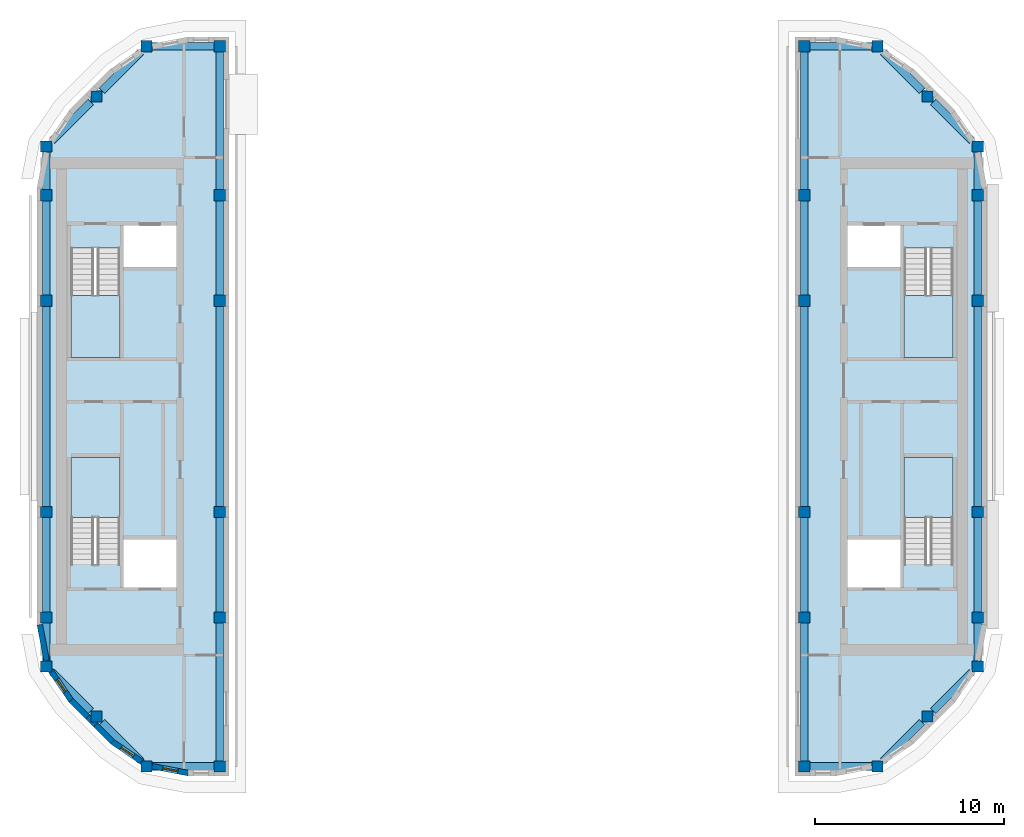
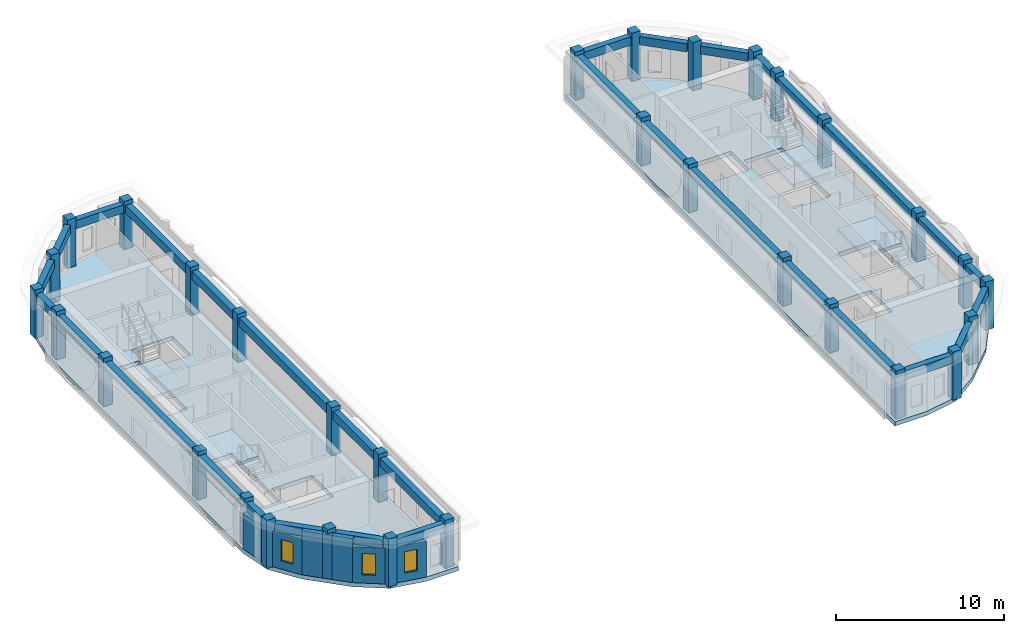
# One storey, part 1 of 12: 32 beams, 32 columns, 7 walls, 6 slabs, 3 windows, 3 openings, 4 elements without a shape of their own.
"""IFC4 building model written with IfcOpenShell, lengths in metres."""

from ifc_helpers import new_model, si_unit, direction, frame, frame_2d, origin, origin_2d, place, context, subcontext, project, spatial, polyline, rectangle, outline, extrude, material, layer, layer_set, material_profile, profile_set, type_object, element, fill, aggregate, save


model = new_model("IFC4")

# Units and contexts
model_context = context("Model", 3, precision=1e-05, world=origin(), true_north=direction((0.0, 1.0)))
body_context = subcontext(model_context, "Body", "Model", "MODEL_VIEW")
ifc_project = project(units=[si_unit("LENGTHUNIT", "METRE"), si_unit("AREAUNIT", "SQUARE_METRE"), si_unit("VOLUMEUNIT", "CUBIC_METRE"), si_unit("PLANEANGLEUNIT", "RADIAN"), si_unit("MASSUNIT", "GRAM", prefix="KILO")], contexts=[model_context])

# Site, building, storey
site_placement = place(None, origin())
site = spatial("IfcSite", under=ifc_project, at=site_placement, CompositionType="ELEMENT")
building_placement = place(site_placement, origin())
building = spatial("IfcBuilding", under=site, at=building_placement, Name="Kiln Ring Residences", CompositionType="ELEMENT")
storey_placement = place(building_placement, frame((0.0, 0.0, 306.89990234375)))
storey = spatial("IfcBuildingStorey", under=building, at=storey_placement, Name="L79 Crown", CompositionType="ELEMENT", Elevation=306.89990234375)

# Columns
ifc_material_1 = material(Name="Concrete C60/75", Category="concrete")
ifc_material_profile_1 = material_profile(ifc_material_1, rectangle(XDim=0.60009765625, YDim=0.60009765625, at=origin_2d()), Name="RC600x600")
ifc_profile_set_1 = profile_set([ifc_material_profile_1], Name="Concrete C60/75")
column_type = type_object("IfcColumnType", Name="Crown column RC600x600 C60/75", PredefinedType="COLUMN", material=ifc_profile_set_1)
for number, where, z_axis, x_axis, name in (
    (1, (-24.699951171875, -13.79296875, 0.0), (0.0, 0.0, 1.0), (1.0, 0.0, 0.0), "Crown column L79 Crown 1"),
    (2, (-24.699951171875, -11.199951171875, 0.0), (0.0, 0.0, 1.0), (1.0, 0.0, 0.0), "Crown column L79 Crown 2"),
    (3, (-24.699951171875, -5.60009765625, 0.0), (0.0, 0.0, 1.0), (1.0, 0.0, 0.0), "Crown column L79 Crown 3"),
    (4, (-24.699951171875, 5.60009765625, 0.0), (0.0, 0.0, 1.0), (1.0, 0.0, 0.0), "Crown column L79 Crown 4"),
    (5, (-24.699951171875, 11.199951171875, 0.0), (0.0, 0.0, 1.0), (1.0, 0.0, 0.0), "Crown column L79 Crown 5"),
    (6, (-24.699951171875, 13.79296875, 0.0), (0.0, 0.0, 1.0), (1.0, 0.0, 0.0), "Crown column L79 Crown 6"),
    (7, (-22.04638671875, -16.4462890625, 0.0), (0.0, 0.0, 1.0), (1.0, 0.0, 0.0), "Crown column L79 Crown 7"),
    (8, (-22.04638671875, 16.4462890625, 0.0), (0.0, 0.0, 1.0), (1.0, 0.0, 0.0), "Crown column L79 Crown 8"),
    (9, (-19.392822265625, -19.10009765625, 0.0), (0.0, 0.0, 1.0), (1.0, 0.0, 0.0), "Crown column L79 Crown 9"),
    (10, (-19.392822265625, 19.10009765625, 0.0), (0.0, 0.0, 1.0), (1.0, 0.0, 0.0), "Crown column L79 Crown 10"),
    (11, (-15.5, -19.10009765625, 0.0), (0.0, 0.0, 1.0), (1.0, 0.0, 0.0), "Crown column L79 Crown 11"),
    (12, (-15.5, -11.199951171875, 0.0), (0.0, 0.0, 1.0), (1.0, 0.0, 0.0), "Crown column L79 Crown 12"),
    (13, (-15.5, -5.60009765625, 0.0), (0.0, 0.0, 1.0), (1.0, 0.0, 0.0), "Crown column L79 Crown 13"),
    (14, (-15.5, 5.60009765625, 0.0), (0.0, 0.0, 1.0), (1.0, 0.0, 0.0), "Crown column L79 Crown 14"),
    (15, (-15.5, 11.199951171875, 0.0), (0.0, 0.0, 1.0), (1.0, 0.0, 0.0), "Crown column L79 Crown 15"),
    (16, (-15.5, 19.10009765625, 0.0), (0.0, 0.0, 1.0), (1.0, 0.0, 0.0), "Crown column L79 Crown 16"),
    (17, (15.5, -19.10009765625, 0.0), (0.0, 0.0, 1.0), (1.0, 0.0, 0.0), "Crown column L79 Crown 17"),
    (18, (15.5, -11.199951171875, 0.0), (0.0, 0.0, 1.0), (1.0, 0.0, 0.0), "Crown column L79 Crown 18"),
    (19, (15.5, -5.60009765625, 0.0), (0.0, 0.0, 1.0), (1.0, 0.0, 0.0), "Crown column L79 Crown 19"),
    (20, (15.5, 5.60009765625, 0.0), (0.0, 0.0, 1.0), (1.0, 0.0, 0.0), "Crown column L79 Crown 20"),
    (21, (15.5, 11.199951171875, 0.0), (0.0, 0.0, 1.0), (1.0, 0.0, 0.0), "Crown column L79 Crown 21"),
    (22, (15.5, 19.10009765625, 0.0), (0.0, 0.0, 1.0), (1.0, 0.0, 0.0), "Crown column L79 Crown 22"),
    (23, (19.392822265625, -19.10009765625, 0.0), (0.0, 0.0, 1.0), (1.0, 0.0, 0.0), "Crown column L79 Crown 23"),
    (24, (19.392822265625, 19.10009765625, 0.0), (0.0, 0.0, 1.0), (1.0, 0.0, 0.0), "Crown column L79 Crown 24"),
    (25, (22.04638671875, -16.4462890625, 0.0), (0.0, 0.0, 1.0), (1.0, 0.0, 0.0), "Crown column L79 Crown 25"),
    (26, (22.04638671875, 16.4462890625, 0.0), (0.0, 0.0, 1.0), (1.0, 0.0, 0.0), "Crown column L79 Crown 26"),
    (27, (24.699951171875, -13.79296875, 0.0), (0.0, 0.0, 1.0), (1.0, 0.0, 0.0), "Crown column L79 Crown 27"),
    (28, (24.699951171875, -11.199951171875, 0.0), (0.0, 0.0, 1.0), (1.0, 0.0, 0.0), "Crown column L79 Crown 28"),
    (29, (24.699951171875, -5.60009765625, 0.0), (0.0, 0.0, 1.0), (1.0, 0.0, 0.0), "Crown column L79 Crown 29"),
    (30, (24.699951171875, 5.60009765625, 0.0), (0.0, 0.0, 1.0), (1.0, 0.0, 0.0), "Crown column L79 Crown 30"),
    (31, (24.699951171875, 11.199951171875, 0.0), (0.0, 0.0, 1.0), (1.0, 0.0, 0.0), "Crown column L79 Crown 31"),
    (32, (24.699951171875, 13.79296875, 0.0), (0.0, 0.0, 1.0), (1.0, 0.0, 0.0), "Crown column L79 Crown 32"),
):
    element("IfcColumn", number, at=place(storey_placement, frame(where, z_axis=z_axis, x_axis=x_axis)), inside=storey, type_object=column_type, Name=name, PredefinedType="COLUMN", context=body_context, shape_type="SweptSolid", body=[
        extrude(rectangle(XDim=0.60009765625, YDim=0.60009765625, at=origin_2d()), origin(), (0.0, 0.0, 1.0), 3.5),
    ])

# Beams
ifc_material_2 = material(Name="Concrete C50/60", Category="concrete")
ifc_material_profile_2 = material_profile(ifc_material_2, rectangle(XDim=0.39990234375, YDim=0.60009765625, at=origin_2d()), Name="RC400x600")
ifc_profile_set_2 = profile_set([ifc_material_profile_2], Name="Concrete C50/60")
beam_type = type_object("IfcBeamType", Name="Spandrel beam RC400x600 C50/60", PredefinedType="SPANDREL", material=ifc_profile_set_2)
beam_1_placement = place(storey_placement, frame((-24.699951171875, -5.89990234375, 2.900146484375), z_axis=(0.0, -1.0, 0.0), x_axis=(1.0, 0.0, 0.0)))
element("IfcBeam", 33, at=beam_1_placement, inside=storey, type_object=beam_type, Name="Spandrel beam L79 Crown 1", PredefinedType="SPANDREL", context=body_context, shape_type="SweptSolid", body=[
    extrude(rectangle(XDim=0.39990234375, YDim=0.60009765625, at=origin_2d()), origin(), (0.0, 0.0, 1.0), 5.0),
])
beam_2_placement = place(storey_placement, frame((-24.699951171875, -11.5, 2.900146484375), z_axis=(0.0, -1.0, 0.0), x_axis=(1.0, 0.0, 0.0)))
element("IfcBeam", 34, at=beam_2_placement, inside=storey, type_object=beam_type, Name="Spandrel beam L79 Crown 2", PredefinedType="SPANDREL", context=body_context, shape_type="SweptSolid", body=[
    extrude(rectangle(XDim=0.39990234375, YDim=0.60009765625, at=origin_2d()), origin(), (0.0, 0.0, 1.0), 1.992919921875),
])
for number, where, z_axis, x_axis, name in (
    (35, (-24.39990234375, -14.0927734375, 2.900146484375), (0.707064747792, -0.707148812083, 0.0), (0.707148812083, 0.707064747792, 0.0), "Spandrel beam L79 Crown 3"),
    (36, (-21.746337890625, -16.746337890625, 2.900146484375), (0.707064747792, -0.707148812083, 0.0), (0.707148812083, 0.707064747792, 0.0), "Spandrel beam L79 Crown 4"),
):
    element("IfcBeam", number, at=place(storey_placement, frame(where, z_axis=z_axis, x_axis=x_axis)), inside=storey, type_object=beam_type, Name=name, PredefinedType="SPANDREL", context=body_context, shape_type="SweptSolid", body=[
        extrude(rectangle(XDim=0.39990234375, YDim=0.60009765625, at=origin_2d()), origin(), (0.0, 0.0, 1.0), 2.904296875),
    ])
beam_3_placement = place(storey_placement, frame((-19.093017578125, -19.10009765625, 2.900146484375), z_axis=(1.0, 0.0, 0.0), x_axis=(0.0, 1.0, 0.0)))
element("IfcBeam", 37, at=beam_3_placement, inside=storey, type_object=beam_type, Name="Spandrel beam L79 Crown 5", PredefinedType="SPANDREL", context=body_context, shape_type="SweptSolid", body=[
    extrude(rectangle(XDim=0.39990234375, YDim=0.60009765625, at=origin_2d()), origin(), (0.0, 0.0, 1.0), 3.29296875),
])
beam_4_placement = place(storey_placement, frame((-15.5, -18.800048828125, 2.900146484375), z_axis=(0.0, 1.0, 0.0), x_axis=(-1.0, 0.0, 0.0)))
element("IfcBeam", 38, at=beam_4_placement, inside=storey, type_object=beam_type, Name="Spandrel beam L79 Crown 6", PredefinedType="SPANDREL", context=body_context, shape_type="SweptSolid", body=[
    extrude(rectangle(XDim=0.39990234375, YDim=0.60009765625, at=origin_2d()), origin(), (0.0, 0.0, 1.0), 7.300048828125),
])
beam_5_placement = place(storey_placement, frame((-15.5, -10.89990234375, 2.900146484375), z_axis=(0.0, 1.0, 0.0), x_axis=(-1.0, 0.0, 0.0)))
element("IfcBeam", 39, at=beam_5_placement, inside=storey, type_object=beam_type, Name="Spandrel beam L79 Crown 7", PredefinedType="SPANDREL", context=body_context, shape_type="SweptSolid", body=[
    extrude(rectangle(XDim=0.39990234375, YDim=0.60009765625, at=origin_2d()), origin(), (0.0, 0.0, 1.0), 5.0),
])
beam_6_placement = place(storey_placement, frame((-15.5, -5.300048828125, 2.900146484375), z_axis=(0.0, 1.0, 0.0), x_axis=(-1.0, 0.0, 0.0)))
element("IfcBeam", 40, at=beam_6_placement, inside=storey, type_object=beam_type, Name="Spandrel beam L79 Crown 8", PredefinedType="SPANDREL", context=body_context, shape_type="SweptSolid", body=[
    extrude(rectangle(XDim=0.39990234375, YDim=0.60009765625, at=origin_2d()), origin(), (0.0, 0.0, 1.0), 10.60009765625),
])
beam_7_placement = place(storey_placement, frame((-15.5, 5.89990234375, 2.900146484375), z_axis=(0.0, 1.0, 0.0), x_axis=(-1.0, 0.0, 0.0)))
element("IfcBeam", 41, at=beam_7_placement, inside=storey, type_object=beam_type, Name="Spandrel beam L79 Crown 9", PredefinedType="SPANDREL", context=body_context, shape_type="SweptSolid", body=[
    extrude(rectangle(XDim=0.39990234375, YDim=0.60009765625, at=origin_2d()), origin(), (0.0, 0.0, 1.0), 5.0),
])
beam_8_placement = place(storey_placement, frame((-15.5, 11.5, 2.900146484375), z_axis=(0.0, 1.0, 0.0), x_axis=(-1.0, 0.0, 0.0)))
element("IfcBeam", 42, at=beam_8_placement, inside=storey, type_object=beam_type, Name="Spandrel beam L79 Crown 10", PredefinedType="SPANDREL", context=body_context, shape_type="SweptSolid", body=[
    extrude(rectangle(XDim=0.39990234375, YDim=0.60009765625, at=origin_2d()), origin(), (0.0, 0.0, 1.0), 7.300048828125),
])
beam_9_placement = place(storey_placement, frame((-15.800048828125, 19.10009765625, 2.900146484375), z_axis=(-1.0, 0.0, 0.0), x_axis=(0.0, -1.0, 0.0)))
element("IfcBeam", 43, at=beam_9_placement, inside=storey, type_object=beam_type, Name="Spandrel beam L79 Crown 11", PredefinedType="SPANDREL", context=body_context, shape_type="SweptSolid", body=[
    extrude(rectangle(XDim=0.39990234375, YDim=0.60009765625, at=origin_2d()), origin(), (0.0, 0.0, 1.0), 3.29296875),
])
for number, where, z_axis, x_axis, name in (
    (44, (-19.69287109375, 18.800048828125, 2.900146484375), (-0.707064747792, -0.707148812083, 0.0), (0.707148812083, -0.707064747792, 0.0), "Spandrel beam L79 Crown 12"),
    (45, (-22.346435546875, 16.146484375, 2.900146484375), (-0.707064747792, -0.707148812083, 0.0), (0.707148812083, -0.707064747792, 0.0), "Spandrel beam L79 Crown 13"),
):
    element("IfcBeam", number, at=place(storey_placement, frame(where, z_axis=z_axis, x_axis=x_axis)), inside=storey, type_object=beam_type, Name=name, PredefinedType="SPANDREL", context=body_context, shape_type="SweptSolid", body=[
        extrude(rectangle(XDim=0.39990234375, YDim=0.60009765625, at=origin_2d()), origin(), (0.0, 0.0, 1.0), 2.904296875),
    ])
beam_10_placement = place(storey_placement, frame((-24.699951171875, 13.492919921875, 2.900146484375), z_axis=(0.0, -1.0, 0.0), x_axis=(1.0, 0.0, 0.0)))
element("IfcBeam", 46, at=beam_10_placement, inside=storey, type_object=beam_type, Name="Spandrel beam L79 Crown 14", PredefinedType="SPANDREL", context=body_context, shape_type="SweptSolid", body=[
    extrude(rectangle(XDim=0.39990234375, YDim=0.60009765625, at=origin_2d()), origin(), (0.0, 0.0, 1.0), 1.992919921875),
])
beam_11_placement = place(storey_placement, frame((-24.699951171875, 10.89990234375, 2.900146484375), z_axis=(0.0, -1.0, 0.0), x_axis=(1.0, 0.0, 0.0)))
element("IfcBeam", 47, at=beam_11_placement, inside=storey, type_object=beam_type, Name="Spandrel beam L79 Crown 15", PredefinedType="SPANDREL", context=body_context, shape_type="SweptSolid", body=[
    extrude(rectangle(XDim=0.39990234375, YDim=0.60009765625, at=origin_2d()), origin(), (0.0, 0.0, 1.0), 5.0),
])
beam_12_placement = place(storey_placement, frame((-24.699951171875, 5.300048828125, 2.900146484375), z_axis=(0.0, -1.0, 0.0), x_axis=(1.0, 0.0, 0.0)))
element("IfcBeam", 48, at=beam_12_placement, inside=storey, type_object=beam_type, Name="Spandrel beam L79 Crown 16", PredefinedType="SPANDREL", context=body_context, shape_type="SweptSolid", body=[
    extrude(rectangle(XDim=0.39990234375, YDim=0.60009765625, at=origin_2d()), origin(), (0.0, 0.0, 1.0), 10.60009765625),
])
beam_13_placement = place(storey_placement, frame((15.5, -5.89990234375, 2.900146484375), z_axis=(0.0, -1.0, 0.0), x_axis=(1.0, 0.0, 0.0)))
element("IfcBeam", 49, at=beam_13_placement, inside=storey, type_object=beam_type, Name="Spandrel beam L79 Crown 17", PredefinedType="SPANDREL", context=body_context, shape_type="SweptSolid", body=[
    extrude(rectangle(XDim=0.39990234375, YDim=0.60009765625, at=origin_2d()), origin(), (0.0, 0.0, 1.0), 5.0),
])
beam_14_placement = place(storey_placement, frame((15.5, -11.5, 2.900146484375), z_axis=(0.0, -1.0, 0.0), x_axis=(1.0, 0.0, 0.0)))
element("IfcBeam", 50, at=beam_14_placement, inside=storey, type_object=beam_type, Name="Spandrel beam L79 Crown 18", PredefinedType="SPANDREL", context=body_context, shape_type="SweptSolid", body=[
    extrude(rectangle(XDim=0.39990234375, YDim=0.60009765625, at=origin_2d()), origin(), (0.0, 0.0, 1.0), 7.300048828125),
])
beam_15_placement = place(storey_placement, frame((15.800048828125, -19.10009765625, 2.900146484375), z_axis=(1.0, 0.0, 0.0), x_axis=(0.0, 1.0, 0.0)))
element("IfcBeam", 51, at=beam_15_placement, inside=storey, type_object=beam_type, Name="Spandrel beam L79 Crown 19", PredefinedType="SPANDREL", context=body_context, shape_type="SweptSolid", body=[
    extrude(rectangle(XDim=0.39990234375, YDim=0.60009765625, at=origin_2d()), origin(), (0.0, 0.0, 1.0), 3.29296875),
])
for number, where, z_axis, x_axis, name in (
    (52, (19.69287109375, -18.800048828125, 2.900146484375), (0.707064747792, 0.707148812083, 0.0), (-0.707148812083, 0.707064747792, 0.0), "Spandrel beam L79 Crown 20"),
    (53, (22.346435546875, -16.146484375, 2.900146484375), (0.707064747792, 0.707148812083, 0.0), (-0.707148812083, 0.707064747792, 0.0), "Spandrel beam L79 Crown 21"),
):
    element("IfcBeam", number, at=place(storey_placement, frame(where, z_axis=z_axis, x_axis=x_axis)), inside=storey, type_object=beam_type, Name=name, PredefinedType="SPANDREL", context=body_context, shape_type="SweptSolid", body=[
        extrude(rectangle(XDim=0.39990234375, YDim=0.60009765625, at=origin_2d()), origin(), (0.0, 0.0, 1.0), 2.904296875),
    ])
beam_16_placement = place(storey_placement, frame((24.699951171875, -13.492919921875, 2.900146484375), z_axis=(0.0, 1.0, 0.0), x_axis=(-1.0, 0.0, 0.0)))
element("IfcBeam", 54, at=beam_16_placement, inside=storey, type_object=beam_type, Name="Spandrel beam L79 Crown 22", PredefinedType="SPANDREL", context=body_context, shape_type="SweptSolid", body=[
    extrude(rectangle(XDim=0.39990234375, YDim=0.60009765625, at=origin_2d()), origin(), (0.0, 0.0, 1.0), 1.992919921875),
])
beam_17_placement = place(storey_placement, frame((24.699951171875, -10.89990234375, 2.900146484375), z_axis=(0.0, 1.0, 0.0), x_axis=(-1.0, 0.0, 0.0)))
element("IfcBeam", 55, at=beam_17_placement, inside=storey, type_object=beam_type, Name="Spandrel beam L79 Crown 23", PredefinedType="SPANDREL", context=body_context, shape_type="SweptSolid", body=[
    extrude(rectangle(XDim=0.39990234375, YDim=0.60009765625, at=origin_2d()), origin(), (0.0, 0.0, 1.0), 5.0),
])
beam_18_placement = place(storey_placement, frame((24.699951171875, -5.300048828125, 2.900146484375), z_axis=(0.0, 1.0, 0.0), x_axis=(-1.0, 0.0, 0.0)))
element("IfcBeam", 56, at=beam_18_placement, inside=storey, type_object=beam_type, Name="Spandrel beam L79 Crown 24", PredefinedType="SPANDREL", context=body_context, shape_type="SweptSolid", body=[
    extrude(rectangle(XDim=0.39990234375, YDim=0.60009765625, at=origin_2d()), origin(), (0.0, 0.0, 1.0), 10.60009765625),
])
beam_19_placement = place(storey_placement, frame((24.699951171875, 5.89990234375, 2.900146484375), z_axis=(0.0, 1.0, 0.0), x_axis=(-1.0, 0.0, 0.0)))
element("IfcBeam", 57, at=beam_19_placement, inside=storey, type_object=beam_type, Name="Spandrel beam L79 Crown 25", PredefinedType="SPANDREL", context=body_context, shape_type="SweptSolid", body=[
    extrude(rectangle(XDim=0.39990234375, YDim=0.60009765625, at=origin_2d()), origin(), (0.0, 0.0, 1.0), 5.0),
])
beam_20_placement = place(storey_placement, frame((24.699951171875, 11.5, 2.900146484375), z_axis=(0.0, 1.0, 0.0), x_axis=(-1.0, 0.0, 0.0)))
element("IfcBeam", 58, at=beam_20_placement, inside=storey, type_object=beam_type, Name="Spandrel beam L79 Crown 26", PredefinedType="SPANDREL", context=body_context, shape_type="SweptSolid", body=[
    extrude(rectangle(XDim=0.39990234375, YDim=0.60009765625, at=origin_2d()), origin(), (0.0, 0.0, 1.0), 1.992919921875),
])
for number, where, z_axis, x_axis, name in (
    (59, (24.39990234375, 14.0927734375, 2.900146484375), (-0.707064747792, 0.707148812083, 0.0), (-0.707148812083, -0.707064747792, 0.0), "Spandrel beam L79 Crown 27"),
    (60, (21.746337890625, 16.746337890625, 2.900146484375), (-0.707064747792, 0.707148812083, 0.0), (-0.707148812083, -0.707064747792, 0.0), "Spandrel beam L79 Crown 28"),
):
    element("IfcBeam", number, at=place(storey_placement, frame(where, z_axis=z_axis, x_axis=x_axis)), inside=storey, type_object=beam_type, Name=name, PredefinedType="SPANDREL", context=body_context, shape_type="SweptSolid", body=[
        extrude(rectangle(XDim=0.39990234375, YDim=0.60009765625, at=origin_2d()), origin(), (0.0, 0.0, 1.0), 2.904296875),
    ])
beam_21_placement = place(storey_placement, frame((19.093017578125, 19.10009765625, 2.900146484375), z_axis=(-1.0, 0.0, 0.0), x_axis=(0.0, -1.0, 0.0)))
element("IfcBeam", 61, at=beam_21_placement, inside=storey, type_object=beam_type, Name="Spandrel beam L79 Crown 29", PredefinedType="SPANDREL", context=body_context, shape_type="SweptSolid", body=[
    extrude(rectangle(XDim=0.39990234375, YDim=0.60009765625, at=origin_2d()), origin(), (0.0, 0.0, 1.0), 3.29296875),
])
beam_22_placement = place(storey_placement, frame((15.5, 18.800048828125, 2.900146484375), z_axis=(0.0, -1.0, 0.0), x_axis=(1.0, 0.0, 0.0)))
element("IfcBeam", 62, at=beam_22_placement, inside=storey, type_object=beam_type, Name="Spandrel beam L79 Crown 30", PredefinedType="SPANDREL", context=body_context, shape_type="SweptSolid", body=[
    extrude(rectangle(XDim=0.39990234375, YDim=0.60009765625, at=origin_2d()), origin(), (0.0, 0.0, 1.0), 7.300048828125),
])
beam_23_placement = place(storey_placement, frame((15.5, 10.89990234375, 2.900146484375), z_axis=(0.0, -1.0, 0.0), x_axis=(1.0, 0.0, 0.0)))
element("IfcBeam", 63, at=beam_23_placement, inside=storey, type_object=beam_type, Name="Spandrel beam L79 Crown 31", PredefinedType="SPANDREL", context=body_context, shape_type="SweptSolid", body=[
    extrude(rectangle(XDim=0.39990234375, YDim=0.60009765625, at=origin_2d()), origin(), (0.0, 0.0, 1.0), 5.0),
])
beam_24_placement = place(storey_placement, frame((15.5, 5.300048828125, 2.900146484375), z_axis=(0.0, -1.0, 0.0), x_axis=(1.0, 0.0, 0.0)))
element("IfcBeam", 64, at=beam_24_placement, inside=storey, type_object=beam_type, Name="Spandrel beam L79 Crown 32", PredefinedType="SPANDREL", context=body_context, shape_type="SweptSolid", body=[
    extrude(rectangle(XDim=0.39990234375, YDim=0.60009765625, at=origin_2d()), origin(), (0.0, 0.0, 1.0), 10.60009765625),
])

# Stair, slab
ifc_material_3 = material(Name="Concrete C40/50", Category="concrete")
stair_type = type_object("IfcStairType", Name="CORE-STAIR", PredefinedType="HALF_TURN_STAIR", material=ifc_material_3)
placement_1 = place(storey_placement, origin())
stair_1 = element("IfcStair", 65, at=placement_1, inside=storey, type_object=stair_type, Name="L79 Crown stair W-STN", PredefinedType="HALF_TURN_STAIR")
ifc_material_4 = material(Name="Concrete C40/50", Category="concrete")
ifc_layer_1 = layer(ifc_material_4, 0.199951171875)
ifc_layer_set_1 = layer_set([ifc_layer_1], Name="CORE-STAIR-LANDING")
slab_type_1 = type_object("IfcSlabType", Name="CORE-STAIR-LANDING", PredefinedType="LANDING", material=ifc_layer_set_1)
placement_2 = place(storey_placement, frame((0.0, 0.0, 1.550048828125)))
slab_1 = element("IfcSlab", 66, at=placement_2, type_object=slab_type_1, Name="W-STN landing 1", PredefinedType="LANDING", context=body_context, shape_type="SweptSolid", body=[
    extrude(outline(polyline([(-23.39990234375, 5.8798828125), (-23.39990234375, 2.60009765625), (-20.800048828125, 2.60009765625), (-20.800048828125, 5.8798828125), (-23.39990234375, 5.8798828125)])), origin(), (0.0, 0.0, 1.0), 0.199951171875),
])
aggregate(stair_1, [slab_1])

stair_2 = element("IfcStair", 67, at=placement_1, inside=storey, type_object=stair_type, Name="L79 Crown stair W-STS", PredefinedType="HALF_TURN_STAIR")
slab_2 = element("IfcSlab", 68, at=placement_2, type_object=slab_type_1, Name="W-STS landing 1", PredefinedType="LANDING", context=body_context, shape_type="SweptSolid", body=[
    extrude(outline(polyline([(-20.800048828125, -5.8798828125), (-20.800048828125, -2.699951171875), (-23.39990234375, -2.699951171875), (-23.39990234375, -5.8798828125), (-20.800048828125, -5.8798828125)])), origin(), (0.0, 0.0, 1.0), 0.199951171875),
])
aggregate(stair_2, [slab_2])

stair_3 = element("IfcStair", 69, at=placement_1, inside=storey, type_object=stair_type, Name="L79 Crown stair E-STN", PredefinedType="HALF_TURN_STAIR")
slab_3 = element("IfcSlab", 70, at=placement_2, type_object=slab_type_1, Name="E-STN landing 1", PredefinedType="LANDING", context=body_context, shape_type="SweptSolid", body=[
    extrude(outline(polyline([(20.800048828125, 5.8798828125), (20.800048828125, 2.60009765625), (23.39990234375, 2.60009765625), (23.39990234375, 5.8798828125), (20.800048828125, 5.8798828125)])), origin(), (0.0, 0.0, 1.0), 0.199951171875),
])
aggregate(stair_3, [slab_3])

stair_4 = element("IfcStair", 71, at=placement_1, inside=storey, type_object=stair_type, Name="L79 Crown stair E-STS", PredefinedType="HALF_TURN_STAIR")
slab_4 = element("IfcSlab", 72, at=placement_2, type_object=slab_type_1, Name="E-STS landing 1", PredefinedType="LANDING", context=body_context, shape_type="SweptSolid", body=[
    extrude(outline(polyline([(23.39990234375, -5.8798828125), (23.39990234375, -2.699951171875), (20.800048828125, -2.699951171875), (20.800048828125, -5.8798828125), (23.39990234375, -5.8798828125)])), origin(), (0.0, 0.0, 1.0), 0.199951171875),
])
aggregate(stair_4, [slab_4])

# Slabs
ifc_material_5 = material(Name="Concrete C40/50", Category="concrete")
ifc_layer_2 = layer(ifc_material_5, 0.300048828125)
ifc_layer_set_2 = layer_set([ifc_layer_2], Name="Floor slab 300")
slab_type_2 = type_object("IfcSlabType", Name="Floor slab 300", PredefinedType="FLOOR", material=ifc_layer_set_2)
placement_3 = place(storey_placement, frame((0.0, 0.0, -0.2998046875)))
element("IfcSlab", 73, at=placement_3, inside=storey, type_object=slab_type_2, Name="Floor slab L79 Crown 1", PredefinedType="FLOOR", context=body_context, shape_type="SweptSolid", body=[
    extrude(outline(polyline([(-21.297119140625, -17.90283203125), (-19.42431640625, -19.17578125), (-17.199951171875, -19.60009765625), (-15.0, -19.60009765625), (-15.0, 19.60009765625), (-17.199951171875, 19.60009765625), (-19.42431640625, 19.17578125), (-21.297119140625, 17.90283203125), (-23.5029296875, 15.697021484375), (-24.775634765625, 13.82421875), (-25.199951171875, 11.60009765625), (-25.199951171875, -11.60009765625), (-24.775634765625, -13.82421875), (-23.5029296875, -15.697021484375), (-21.297119140625, -17.90283203125)]), holes=[polyline([(-17.800048828125, -7.050048828125), (-17.800048828125, -9.60009765625), (-20.60009765625, -9.60009765625), (-20.60009765625, -7.050048828125), (-17.800048828125, -7.050048828125)]), polyline([(-17.800048828125, 9.60009765625), (-17.800048828125, 7.39990234375), (-20.60009765625, 7.39990234375), (-20.60009765625, 9.60009765625), (-17.800048828125, 9.60009765625)]), polyline([(-20.800048828125, -2.699951171875), (-20.800048828125, -8.39794921875), (-23.39990234375, -8.39794921875), (-23.39990234375, -2.699951171875), (-20.800048828125, -2.699951171875)]), polyline([(-20.800048828125, 8.39794921875), (-20.800048828125, 2.60009765625), (-23.39990234375, 2.60009765625), (-23.39990234375, 8.39794921875), (-20.800048828125, 8.39794921875)])]), origin(), (0.0, 0.0, 1.0), 0.2998046875),
])
element("IfcSlab", 74, at=placement_3, inside=storey, type_object=slab_type_2, Name="Floor slab L79 Crown 2", PredefinedType="FLOOR", context=body_context, shape_type="SweptSolid", body=[
    extrude(outline(polyline([(15.0, 19.60009765625), (15.0, -19.60009765625), (17.199951171875, -19.60009765625), (19.42431640625, -19.17578125), (21.297119140625, -17.90283203125), (23.5029296875, -15.697021484375), (24.775634765625, -13.82421875), (25.199951171875, -11.60009765625), (25.199951171875, 11.60009765625), (24.775634765625, 13.82421875), (23.5029296875, 15.697021484375), (21.297119140625, 17.90283203125), (19.42431640625, 19.17578125), (17.199951171875, 19.60009765625), (15.0, 19.60009765625)]), holes=[polyline([(23.39990234375, -8.39794921875), (20.800048828125, -8.39794921875), (20.800048828125, -2.699951171875), (23.39990234375, -2.699951171875), (23.39990234375, -8.39794921875)]), polyline([(23.39990234375, 2.60009765625), (20.800048828125, 2.60009765625), (20.800048828125, 8.39794921875), (23.39990234375, 8.39794921875), (23.39990234375, 2.60009765625)]), polyline([(20.60009765625, -9.60009765625), (17.800048828125, -9.60009765625), (17.800048828125, -7.050048828125), (20.60009765625, -7.050048828125), (20.60009765625, -9.60009765625)]), polyline([(20.60009765625, 7.39990234375), (17.800048828125, 7.39990234375), (17.800048828125, 9.60009765625), (20.60009765625, 9.60009765625), (20.60009765625, 7.39990234375)])]), origin(), (0.0, 0.0, 1.0), 0.2998046875),
])

# Wall, opening, window
ifc_material_6 = material(Name="Brick masonry, dark clay brick", Category="masonry")
ifc_layer_3 = layer(ifc_material_6, 0.300048828125)
ifc_layer_set_3 = layer_set([ifc_layer_3], Name="EW-300 BRICK WALL")
wall_type = type_object("IfcWallType", Name="EW-300 BRICK WALL", PredefinedType="SOLIDWALL", material=ifc_layer_set_3)
wall_1_placement = place(storey_placement, frame((-21.212646484375, -17.77880859375, 0.0), z_axis=(0.0, 0.0, 1.0), x_axis=(0.827022075481, -0.562169446579, 0.0)))
wall_1 = element("IfcWall", 75, at=wall_1_placement, inside=storey, type_object=wall_type, Name="Facade wall L79 Crown 1", PredefinedType="SOLIDWALL", context=body_context, shape_type="SweptSolid", body=[
    extrude(rectangle(XDim=1.94775390625, YDim=0.300048828125, at=frame_2d((0.973876953125, 0.0))), origin(), (0.0, 0.0, 1.0), 2.60009765625),
])
opening_1_placement = place(wall_1_placement, frame((0.573974609375, 0.0, 0.60009765625)))
opening_1 = element("IfcOpeningElement", 76, at=opening_1_placement, cuts=wall_1, Name="Opening W5", PredefinedType="OPENING", context=body_context, shape_type="SweptSolid", body=[
    extrude(rectangle(XDim=0.800048828125, YDim=1.550048828125, at=frame_2d((0.39990234375, 0.77490234375))), frame((0.0, 0.159912109375, 0.0), z_axis=(0.0, -1.0, 0.0), x_axis=(1.0, 0.0, 0.0)), (0.0, 0.0, 1.0), 0.320068359375),
])
ifc_material_7 = material(Name="Aluminium frame with double glazing", Category="aluminium")
window_type = type_object("IfcWindowType", Name="WINDOW 800 x 1550", PartitioningType="SINGLE_PANEL", PredefinedType="WINDOW", material=ifc_material_7)
window_1_placement = place(opening_1_placement, origin())
window_1 = element("IfcWindow", 77, at=window_1_placement, inside=storey, type_object=window_type, Name="Window L79 Crown 1", OverallHeight=1.550048828125, OverallWidth=0.800048828125, PartitioningType="SINGLE_PANEL", PredefinedType="WINDOW", context=body_context, shape_type="SweptSolid", body=[
    extrude(rectangle(XDim=0.800048828125, YDim=1.550048828125, at=frame_2d((0.39990234375, 0.77490234375))), frame((0.0, 0.030029296875, 0.0), z_axis=(0.0, -1.0, 0.0), x_axis=(1.0, 0.0, 0.0)), (0.0, 0.0, 1.0), 0.06005859375),
])
fill(opening_1, window_1)

wall_2_placement = place(storey_placement, frame((-19.085205078125, -19.087646484375, 0.0), z_axis=(0.0, 0.0, 1.0), x_axis=(0.982286967073, -0.187382801553, 0.0)))
wall_2 = element("IfcWall", 78, at=wall_2_placement, inside=storey, type_object=wall_type, Name="Facade wall L79 Crown 2", PredefinedType="SOLIDWALL", context=body_context, shape_type="SweptSolid", body=[
    extrude(rectangle(XDim=1.94775390625, YDim=0.300048828125, at=frame_2d((0.973876953125, 0.0))), origin(), (0.0, 0.0, 1.0), 2.60009765625),
])
opening_2_placement = place(wall_2_placement, frame((0.573974609375, 0.0, 0.60009765625)))
opening_2 = element("IfcOpeningElement", 79, at=opening_2_placement, cuts=wall_2, Name="Opening W5", PredefinedType="OPENING", context=body_context, shape_type="SweptSolid", body=[
    extrude(rectangle(XDim=0.800048828125, YDim=1.550048828125, at=frame_2d((0.39990234375, 0.77490234375))), frame((0.0, 0.159912109375, 0.0), z_axis=(0.0, -1.0, 0.0), x_axis=(1.0, 0.0, 0.0)), (0.0, 0.0, 1.0), 0.320068359375),
])
window_2_placement = place(opening_2_placement, origin())
window_2 = element("IfcWindow", 80, at=window_2_placement, inside=storey, type_object=window_type, Name="Window L79 Crown 2", OverallHeight=1.550048828125, OverallWidth=0.800048828125, PartitioningType="SINGLE_PANEL", PredefinedType="WINDOW", context=body_context, shape_type="SweptSolid", body=[
    extrude(rectangle(XDim=0.800048828125, YDim=1.550048828125, at=frame_2d((0.39990234375, 0.77490234375))), frame((0.0, 0.030029296875, 0.0), z_axis=(0.0, -1.0, 0.0), x_axis=(1.0, 0.0, 0.0)), (0.0, 0.0, 1.0), 0.06005859375),
])
fill(opening_2, window_2)

# Wall
wall_3_placement = place(storey_placement, frame((-25.052490234375, -11.57275390625, 0.0), z_axis=(0.0, 0.0, 1.0), x_axis=(0.187354129902, -0.982292436095, 0.0)))
element("IfcWall", 81, at=wall_3_placement, inside=storey, type_object=wall_type, Name="Facade wall L79 Crown 19", PredefinedType="SOLIDWALL", context=body_context, shape_type="SweptSolid", body=[
    extrude(rectangle(XDim=1.94677734375, YDim=0.300048828125, at=frame_2d((0.973388671875, 0.0))), origin(), (0.0, 0.0, 1.0), 2.60009765625),
])

# Wall, opening, window
wall_4_placement = place(storey_placement, frame((-24.4736328125, -14.001708984375, 0.0), z_axis=(0.0, 0.0, 1.0), x_axis=(0.562025435703, -0.827119948752, 0.0)))
wall_4 = element("IfcWall", 82, at=wall_4_placement, inside=storey, type_object=wall_type, Name="Facade wall L79 Crown 20", PredefinedType="SOLIDWALL", context=body_context, shape_type="SweptSolid", body=[
    extrude(rectangle(XDim=1.94775390625, YDim=0.300048828125, at=frame_2d((0.973876953125, 0.0))), origin(), (0.0, 0.0, 1.0), 2.60009765625),
])
opening_3_placement = place(wall_4_placement, frame((0.573974609375, 0.0, 0.60009765625)))
opening_3 = element("IfcOpeningElement", 83, at=opening_3_placement, cuts=wall_4, Name="Opening W5", PredefinedType="OPENING", context=body_context, shape_type="SweptSolid", body=[
    extrude(rectangle(XDim=0.800048828125, YDim=1.550048828125, at=frame_2d((0.39990234375, 0.77490234375))), frame((0.0, 0.159912109375, 0.0), z_axis=(0.0, -1.0, 0.0), x_axis=(1.0, 0.0, 0.0)), (0.0, 0.0, 1.0), 0.320068359375),
])
window_3_placement = place(opening_3_placement, origin())
window_3 = element("IfcWindow", 84, at=window_3_placement, inside=storey, type_object=window_type, Name="Window L79 Crown 10", OverallHeight=1.550048828125, OverallWidth=0.800048828125, PartitioningType="SINGLE_PANEL", PredefinedType="WINDOW", context=body_context, shape_type="SweptSolid", body=[
    extrude(rectangle(XDim=0.800048828125, YDim=1.550048828125, at=frame_2d((0.39990234375, 0.77490234375))), frame((0.0, 0.030029296875, 0.0), z_axis=(0.0, -1.0, 0.0), x_axis=(1.0, 0.0, 0.0)), (0.0, 0.0, 1.0), 0.06005859375),
])
fill(opening_3, window_3)

# Walls
for number, where, z_axis, x_axis, name in (
    (85, (-23.39697265625, -15.591064453125, 0.0), (0.0, 0.0, 1.0), (0.707203678312, -0.707009870781, 0.0), "Facade wall L79 Crown 21"),
    (86, (-22.081787109375, -16.906005859375, 0.0), (0.0, 0.0, 1.0), (0.707106781187, -0.707106781187, 0.0), "Facade wall L79 Crown 22"),
):
    element("IfcWall", number, at=place(storey_placement, frame(where, z_axis=z_axis, x_axis=x_axis)), inside=storey, type_object=wall_type, Name=name, PredefinedType="SOLIDWALL", context=body_context, shape_type="SweptSolid", body=[
        extrude(rectangle(XDim=1.259765625, YDim=0.300048828125, at=frame_2d((0.6298828125, 0.0))), origin(), (0.0, 0.0, 1.0), 3.2001953125),
    ])
element("IfcWall", 87, at=placement_1, inside=storey, type_object=wall_type, Name="Corner wall L79 Crown 12", PredefinedType="SOLIDWALL", context=body_context, shape_type="SweptSolid", body=[
    extrude(outline(polyline([(-22.39990234375, -16.375732421875), (-22.612060546875, -16.587890625), (-22.18798828125, -17.01220703125), (-21.9755859375, -16.800048828125), (-22.029296875, -16.746337890625), (-22.346435546875, -16.746337890625), (-22.346435546875, -16.42919921875), (-22.39990234375, -16.375732421875)])), origin(), (0.0, 0.0, 1.0), 3.2001953125),
])

save(model, "model.ifc")
